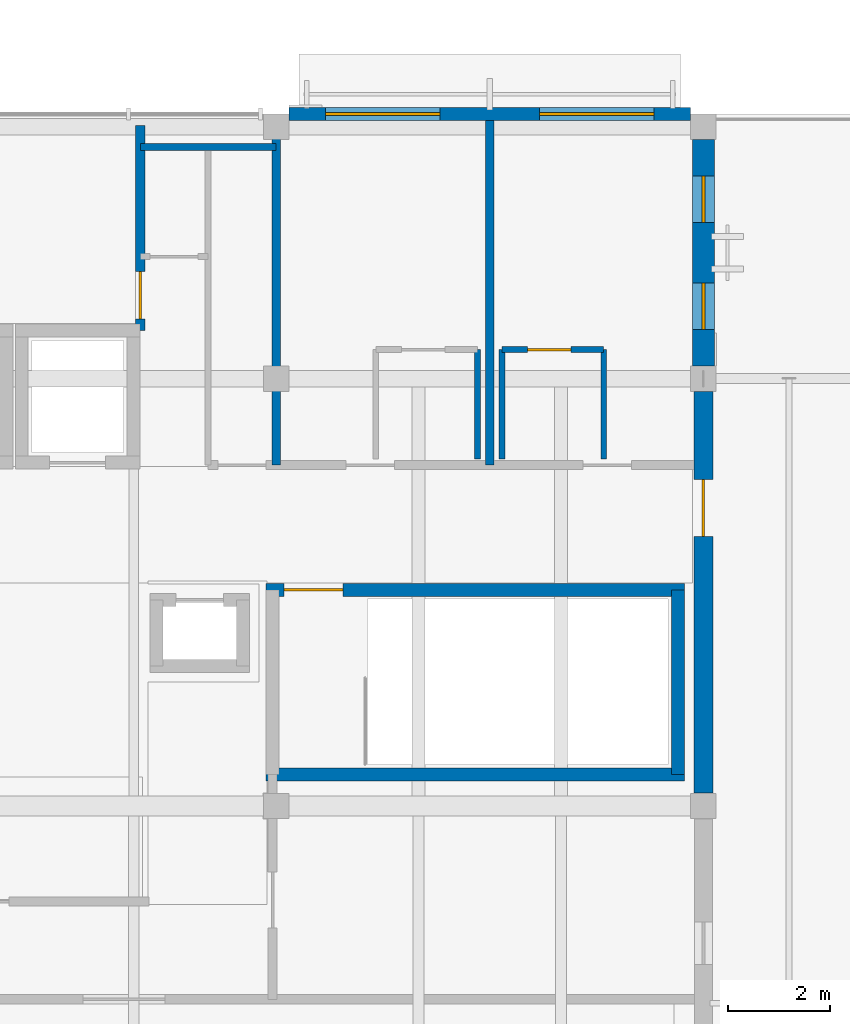
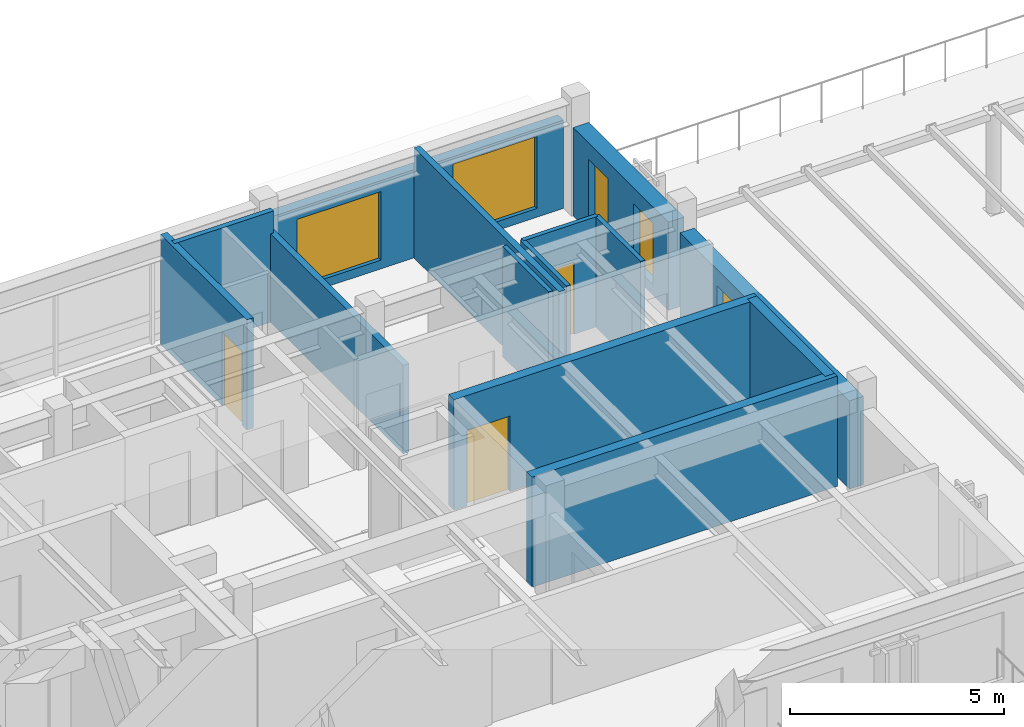
# One storey, part 16 of 24: 14 walls, 4 doors, 4 windows, 8 openings.
"""IFC4 building model written with IfcOpenShell, lengths in metres."""

from ifc_helpers import new_model, si_unit, direction, frame, frame_2d, origin, place, context, subcontext, project, spatial, rectangle, extrude, material, layer, layer_set, type_object, element, fill, save


model = new_model("IFC4")

# Units and contexts
model_context = context("Model", 3, precision=1e-05, world=origin(), true_north=direction((0.0, 1.0)))
body_context = subcontext(model_context, "Body", "Model", "MODEL_VIEW")
ifc_project = project(units=[si_unit("LENGTHUNIT", "METRE"), si_unit("AREAUNIT", "SQUARE_METRE"), si_unit("VOLUMEUNIT", "CUBIC_METRE"), si_unit("PLANEANGLEUNIT", "RADIAN"), si_unit("MASSUNIT", "GRAM", prefix="KILO")], contexts=[model_context])

# Site, building, storey
site_placement = place(None, origin())
site = spatial("IfcSite", under=ifc_project, at=site_placement, CompositionType="ELEMENT")
building_placement = place(site_placement, origin())
building = spatial("IfcBuilding", under=site, at=building_placement, Name="Cumbredor Promenade Congress Hotel", CompositionType="ELEMENT")
storey_placement = place(building_placement, frame((0.0, 0.0, 35.280029296875)))
storey = spatial("IfcBuildingStorey", under=building, at=storey_placement, Name="L10", CompositionType="ELEMENT", Elevation=35.280029296875)

# Wall
ifc_material_1 = material(Name="Moisture-resistant gypsum board on steel studs", Category="steel")
ifc_layer_1 = layer(ifc_material_1, 0.114990234375, Name="Moisture-resistant gypsum board on steel studs", Category="steel")
ifc_layer_set_1 = layer_set([ifc_layer_1], Name="Moisture-resistant gypsum board on steel studs")
wall_type_1 = type_object("IfcWallType", Name="WL-BATH-115", PredefinedType="PARTITIONING", material=ifc_layer_set_1)
wall_1_placement = place(storey_placement, frame((45.9599609375, 107.6201171875, 0.0), z_axis=(0.0, 0.0, 1.0), x_axis=(0.0, 1.0, 0.0)))
element("IfcWall", 1, at=wall_1_placement, inside=storey, type_object=wall_type_1, Name="L10 Interior Partition W-L10-BV2-1006", PredefinedType="PARTITIONING", context=body_context, shape_type="SweptSolid", body=[
    extrude(rectangle(XDim=2.14990234375, YDim=0.114990234375, at=frame_2d((1.074951171875, 0.0))), origin(), (0.0, 0.0, 1.0), 3.139892578125),
])

# Wall, opening, door
wall_2_placement = place(storey_placement, frame((46.43994140625, 109.77001953125, 0.0), z_axis=(0.0, 0.0, 1.0), x_axis=(1.0, 0.0, 0.0)))
wall_2 = element("IfcWall", 2, at=wall_2_placement, inside=storey, type_object=wall_type_1, Name="L10 Interior Partition W-L10-BH-1007", PredefinedType="PARTITIONING", context=body_context, shape_type="SweptSolid", body=[
    extrude(rectangle(XDim=2.0, YDim=0.114990234375, at=frame_2d((1.0, 0.0))), origin(), (0.0, 0.0, 1.0), 3.139892578125),
])
opening_1_placement = place(wall_2_placement, frame((0.5, 0.0, 0.0)))
opening_1 = element("IfcOpeningElement", 3, at=opening_1_placement, cuts=wall_2, Name="Opening ID-01", PredefinedType="OPENING", context=body_context, shape_type="SweptSolid", body=[
    extrude(rectangle(XDim=0.860107421875, YDim=2.050048828125, at=frame_2d((0.43017578125, 1.02490234375))), frame((0.0, 0.0673828125, 0.0), z_axis=(0.0, -1.0, 0.0), x_axis=(1.0, 0.0, 0.0)), (0.0, 0.0, 1.0), 0.135009765625),
])
ifc_material_2 = material(Name="Kiln-dried tropical hardwood", Category="wood")
door_type_1 = type_object("IfcDoorType", Name="DR-BATH-860", OperationType="NOTDEFINED", PredefinedType="DOOR", material=ifc_material_2)
door_1_placement = place(opening_1_placement, origin())
door_1 = element("IfcDoor", 4, at=door_1_placement, inside=storey, type_object=door_type_1, Name="L10 Interior Door W-L10-BH-1007-01", OperationType="SINGLE_SWING_RIGHT", OverallHeight=2.050048828125, OverallWidth=0.860107421875, PredefinedType="DOOR", context=body_context, shape_type="SweptSolid", body=[
    extrude(rectangle(XDim=0.860107421875, YDim=2.050048828125, at=frame_2d((0.43017578125, 1.02490234375))), frame((0.0, 0.02490234375, 0.0), z_axis=(0.0, -1.0, 0.0), x_axis=(1.0, 0.0, 0.0)), (0.0, 0.0, 1.0), 0.050048828125),
])
fill(opening_1, door_1)

# Walls
for number, where, z_axis, x_axis, name in (
    (5, (46.43994140625, 107.6201171875, 0.0), (0.0, 0.0, 1.0), (0.0, 1.0, 0.0), "L10 Interior Partition W-L10-BV1-1007"),
    (6, (48.43994140625, 107.6201171875, 0.0), (0.0, 0.0, 1.0), (0.0, 1.0, 0.0), "L10 Interior Partition W-L10-BV2-1007"),
):
    element("IfcWall", number, at=place(storey_placement, frame(where, z_axis=z_axis, x_axis=x_axis)), inside=storey, type_object=wall_type_1, Name=name, PredefinedType="PARTITIONING", context=body_context, shape_type="SweptSolid", body=[
        extrude(rectangle(XDim=2.14990234375, YDim=0.114990234375, at=frame_2d((1.074951171875, 0.0))), origin(), (0.0, 0.0, 1.0), 3.139892578125),
    ])

# Wall, opening, door
ifc_material_3 = material(Name="Fire-rated hotel corridor wall")
ifc_layer_2 = layer(ifc_material_3, 0.179931640625, Name="Fire-rated hotel corridor wall")
ifc_layer_set_2 = layer_set([ifc_layer_2], Name="Fire-rated hotel corridor wall")
wall_type_2 = type_object("IfcWallType", Name="WL-CORR-180", PredefinedType="PARTITIONING", material=ifc_layer_set_2)
wall_3_placement = place(storey_placement, frame((39.330078125, 110.14990234375, 0.0), z_axis=(0.0, 0.0, 1.0), x_axis=(0.0, 1.0, 0.0)))
wall_3 = element("IfcWall", 7, at=wall_3_placement, inside=storey, type_object=wall_type_2, Name="L10 Interior Partition W-L10-SALON-E", PredefinedType="PARTITIONING", context=body_context, shape_type="SweptSolid", body=[
    extrude(rectangle(XDim=4.025146484375, YDim=0.179931640625, at=frame_2d((2.0126953125, 0.0))), origin(), (0.0, 0.0, 1.0), 3.139892578125),
])
opening_2_placement = place(wall_3_placement, frame((0.219970703125, 0.0, 0.0)))
opening_2 = element("IfcOpeningElement", 8, at=opening_2_placement, cuts=wall_3, Name="Opening FD-03", PredefinedType="OPENING", context=body_context, shape_type="SweptSolid", body=[
    extrude(rectangle(XDim=0.93994140625, YDim=2.10009765625, at=frame_2d((0.469970703125, 1.050048828125))), frame((0.0, 0.10009765625, 0.0), z_axis=(0.0, -1.0, 0.0), x_axis=(1.0, 0.0, 0.0)), (0.0, 0.0, 1.0), 0.199951171875),
])
ifc_material_4 = material(Name="Painted galvanized steel fire door", Category="steel")
door_type_2 = type_object("IfcDoorType", Name="DR-SGL-FD60-950", OperationType="NOTDEFINED", PredefinedType="DOOR", material=ifc_material_4)
door_2_placement = place(opening_2_placement, origin())
door_2 = element("IfcDoor", 9, at=door_2_placement, inside=storey, type_object=door_type_2, Name="L10 Interior Door W-L10-SALON-E-01", OperationType="SINGLE_SWING_LEFT", OverallHeight=2.10009765625, OverallWidth=0.93994140625, PredefinedType="DOOR", context=body_context, shape_type="SweptSolid", body=[
    extrude(rectangle(XDim=0.93994140625, YDim=2.10009765625, at=frame_2d((0.469970703125, 1.050048828125))), frame((0.0, 0.02490234375, 0.0), z_axis=(0.0, -1.0, 0.0), x_axis=(1.0, 0.0, 0.0)), (0.0, 0.0, 1.0), 0.050048828125),
])
fill(opening_2, door_2)

# Wall, openings, windows
ifc_material_5 = material(Name="Concrete C40/50", Category="concrete")
ifc_layer_3 = layer(ifc_material_5, 0.260009765625, Name="Concrete C40/50", Category="concrete")
ifc_layer_set_3 = layer_set([ifc_layer_3], Name="Concrete C40/50")
wall_type_3 = type_object("IfcWallType", Name="WL-EXT-260", PredefinedType="SOLIDWALL", material=ifc_layer_set_3)
wall_4_placement = place(storey_placement, frame((42.2509765625, 114.39990234375, 0.0), z_axis=(0.0, 0.0, 1.0), x_axis=(1.0, 0.0, 0.0)))
wall_4 = element("IfcWall", 10, at=wall_4_placement, inside=storey, type_object=wall_type_3, Name="L10 Stepped Congress Hotel Wing North Envelope Wall 5", PredefinedType="SOLIDWALL", context=body_context, shape_type="SweptSolid", body=[
    extrude(rectangle(XDim=7.89794921875, YDim=0.260009765625, at=frame_2d((3.948974609375, 0.0))), origin(), (0.0, 0.0, 1.0), 2.513916015625),
])
opening_3_placement = place(wall_4_placement, frame((0.72412109375, 0.0, 0.25)))
opening_3 = element("IfcOpeningElement", 11, at=opening_3_placement, cuts=wall_4, Name="Opening WN-07", PredefinedType="OPENING", context=body_context, shape_type="SweptSolid", body=[
    extrude(rectangle(XDim=2.25, YDim=1.949951171875, at=frame_2d((1.125, 0.97509765625))), frame((0.0, 0.14013671875, 0.0), z_axis=(0.0, -1.0, 0.0), x_axis=(1.0, 0.0, 0.0)), (0.0, 0.0, 1.0), 0.280029296875),
])
opening_4_placement = place(wall_4_placement, frame((4.924072265625, 0.0, 0.25)))
opening_4 = element("IfcOpeningElement", 12, at=opening_4_placement, cuts=wall_4, Name="Opening WN-13", PredefinedType="OPENING", context=body_context, shape_type="SweptSolid", body=[
    extrude(rectangle(XDim=2.25, YDim=2.050048828125, at=frame_2d((1.125, 1.02490234375))), frame((0.0, 0.14013671875, 0.0), z_axis=(0.0, -1.0, 0.0), x_axis=(1.0, 0.0, 0.0)), (0.0, 0.0, 1.0), 0.280029296875),
])
ifc_material_6 = material(Name="Thermally broken anodized aluminium and low-E glass", Category="aluminium")
window_type_1 = type_object("IfcWindowType", Name="Hospitality Floor-to-Ceiling Window WN-07 2250x1950", PartitioningType="DOUBLE_PANEL_VERTICAL", PredefinedType="WINDOW", material=ifc_material_6)
window_1_placement = place(opening_3_placement, origin())
window_1 = element("IfcWindow", 13, at=window_1_placement, inside=storey, type_object=window_type_1, Name="L10 Wide Hospitality Window 0720", OverallHeight=1.949951171875, OverallWidth=2.25, PartitioningType="DOUBLE_PANEL_VERTICAL", PredefinedType="WINDOW", context=body_context, shape_type="SweptSolid", body=[
    extrude(rectangle(XDim=2.25, YDim=1.949951171875, at=frame_2d((1.125, 0.97509765625))), frame((0.0, 0.030029296875, 0.0), z_axis=(0.0, -1.0, 0.0), x_axis=(1.0, 0.0, 0.0)), (0.0, 0.0, 1.0), 0.06005859375),
])
fill(opening_3, window_1)
window_type_2 = type_object("IfcWindowType", Name="Hospitality Floor-to-Ceiling Window WN-13 2250x2050", PartitioningType="DOUBLE_PANEL_VERTICAL", PredefinedType="WINDOW", material=ifc_material_6)
window_2_placement = place(opening_4_placement, origin())
window_2 = element("IfcWindow", 14, at=window_2_placement, inside=storey, type_object=window_type_2, Name="L10 Wide Hospitality Window 0721", OverallHeight=2.050048828125, OverallWidth=2.25, PartitioningType="DOUBLE_PANEL_VERTICAL", PredefinedType="WINDOW", context=body_context, shape_type="SweptSolid", body=[
    extrude(rectangle(XDim=2.25, YDim=2.050048828125, at=frame_2d((1.125, 1.02490234375))), frame((0.0, 0.030029296875, 0.0), z_axis=(0.0, -1.0, 0.0), x_axis=(1.0, 0.0, 0.0)), (0.0, 0.0, 1.0), 0.06005859375),
])
fill(opening_4, window_2)

# Wall, opening, door
ifc_layer_4 = layer(ifc_material_5, 0.3798828125, Name="Concrete C40/50", Category="concrete")
ifc_layer_set_4 = layer_set([ifc_layer_4], Name="Concrete C40/50")
wall_type_4 = type_object("IfcWallType", Name="WL-EXT-380", PredefinedType="SOLIDWALL", material=ifc_layer_set_4)
wall_5_placement = place(storey_placement, frame((50.39990234375, 101.051025390625, 0.0), z_axis=(0.0, 0.0, 1.0), x_axis=(0.0, 1.0, 0.0)))
wall_5 = element("IfcWall", 15, at=wall_5_placement, inside=storey, type_object=wall_type_4, Name="L10 Stepped Congress Hotel Wing East Envelope Wall 2", PredefinedType="SOLIDWALL", context=body_context, shape_type="SweptSolid", body=[
    extrude(rectangle(XDim=7.89794921875, YDim=0.3798828125, at=frame_2d((3.948974609375, 0.0))), origin(), (0.0, 0.0, 1.0), 2.513916015625),
])
opening_5_placement = place(wall_5_placement, frame((5.049072265625, 0.0, 0.0)))
opening_5 = element("IfcOpeningElement", 16, at=opening_5_placement, cuts=wall_5, Name="Opening TD-05", PredefinedType="OPENING", context=body_context, shape_type="SweptSolid", body=[
    extrude(rectangle(XDim=1.1201171875, YDim=2.050048828125, at=frame_2d((0.56005859375, 1.02490234375))), frame((0.0, 0.199951171875, 0.0), z_axis=(0.0, -1.0, 0.0), x_axis=(1.0, 0.0, 0.0)), (0.0, 0.0, 1.0), 0.39990234375),
])
ifc_material_7 = material(Name="Thermally broken anodized aluminium and laminated safety glass", Category="aluminium")
door_type_3 = type_object("IfcDoorType", Name="EXT-DR-TER-1120x2050", OperationType="NOTDEFINED", PredefinedType="DOOR", material=ifc_material_7)
door_3_placement = place(opening_5_placement, frame((1.1201171875, 0.0, 0.0), z_axis=(0.0, 0.0, 1.0), x_axis=(-1.0, 0.0, 0.0)))
door_3 = element("IfcDoor", 17, at=door_3_placement, inside=storey, type_object=door_type_3, Name="L10 Sky Garden Terrace Access Door 99", OperationType="SINGLE_SWING_RIGHT", OverallHeight=2.050048828125, OverallWidth=1.1201171875, PredefinedType="DOOR", context=body_context, shape_type="SweptSolid", body=[
    extrude(rectangle(XDim=1.1201171875, YDim=2.050048828125, at=frame_2d((0.56005859375, 1.02490234375))), frame((0.0, 0.02490234375, 0.0), z_axis=(0.0, -1.0, 0.0), x_axis=(1.0, 0.0, 0.0)), (0.0, 0.0, 1.0), 0.050048828125),
])
fill(opening_5, door_3)

# Wall, openings, windows
ifc_layer_5 = layer(ifc_material_5, 0.425048828125, Name="Concrete C40/50", Category="concrete")
ifc_layer_set_5 = layer_set([ifc_layer_5], Name="Concrete C40/50")
wall_type_5 = type_object("IfcWallType", Name="WL-EXT-425", PredefinedType="SOLIDWALL", material=ifc_layer_set_5)
wall_6_placement = place(storey_placement, frame((50.39990234375, 109.450927734375, 0.0), z_axis=(0.0, 0.0, 1.0), x_axis=(0.0, 1.0, 0.0)))
wall_6 = element("IfcWall", 18, at=wall_6_placement, inside=storey, type_object=wall_type_5, Name="L10 Stepped Congress Hotel Wing East Envelope Wall 3", PredefinedType="SOLIDWALL", context=body_context, shape_type="SweptSolid", body=[
    extrude(rectangle(XDim=4.447998046875, YDim=0.425048828125, at=frame_2d((2.22412109375, 0.0))), origin(), (0.0, 0.0, 1.0), 2.513916015625),
])
opening_6_placement = place(wall_6_placement, frame((0.714111328125, 0.0, 0.300048828125)))
opening_6 = element("IfcOpeningElement", 19, at=opening_6_placement, cuts=wall_6, Name="Opening WN-63", PredefinedType="OPENING", context=body_context, shape_type="SweptSolid", body=[
    extrude(rectangle(XDim=0.919921875, YDim=1.75, at=frame_2d((0.4599609375, 0.875))), frame((0.0, 0.22265625, 0.0), z_axis=(0.0, -1.0, 0.0), x_axis=(1.0, 0.0, 0.0)), (0.0, 0.0, 1.0), 0.445068359375),
])
opening_7_placement = place(wall_6_placement, frame((2.81396484375, 0.0, 0.300048828125)))
opening_7 = element("IfcOpeningElement", 20, at=opening_7_placement, cuts=wall_6, Name="Opening WN-63", PredefinedType="OPENING", context=body_context, shape_type="SweptSolid", body=[
    extrude(rectangle(XDim=0.919921875, YDim=1.75, at=frame_2d((0.4599609375, 0.875))), frame((0.0, 0.22265625, 0.0), z_axis=(0.0, -1.0, 0.0), x_axis=(1.0, 0.0, 0.0)), (0.0, 0.0, 1.0), 0.445068359375),
])
window_type_3 = type_object("IfcWindowType", Name="Vertical Slot Window WN-63 920x1750", PartitioningType="SINGLE_PANEL", PredefinedType="WINDOW", material=ifc_material_6)
window_3_placement = place(opening_6_placement, origin())
window_3 = element("IfcWindow", 21, at=window_3_placement, inside=storey, type_object=window_type_3, Name="L10 Vertical Slot Window 0730", OverallHeight=1.75, OverallWidth=0.919921875, PartitioningType="SINGLE_PANEL", PredefinedType="WINDOW", context=body_context, shape_type="SweptSolid", body=[
    extrude(rectangle(XDim=0.919921875, YDim=1.75, at=frame_2d((0.4599609375, 0.875))), frame((0.0, 0.030029296875, 0.0), z_axis=(0.0, -1.0, 0.0), x_axis=(1.0, 0.0, 0.0)), (0.0, 0.0, 1.0), 0.06005859375),
])
fill(opening_6, window_3)
window_4_placement = place(opening_7_placement, origin())
window_4 = element("IfcWindow", 22, at=window_4_placement, inside=storey, type_object=window_type_3, Name="L10 Vertical Slot Window 0731", OverallHeight=1.75, OverallWidth=0.919921875, PartitioningType="SINGLE_PANEL", PredefinedType="WINDOW", context=body_context, shape_type="SweptSolid", body=[
    extrude(rectangle(XDim=0.919921875, YDim=1.75, at=frame_2d((0.4599609375, 0.875))), frame((0.0, 0.030029296875, 0.0), z_axis=(0.0, -1.0, 0.0), x_axis=(1.0, 0.0, 0.0)), (0.0, 0.0, 1.0), 0.06005859375),
])
fill(opening_7, window_4)

# Walls
ifc_material_8 = material(Name="Acoustic gypsum partition on steel studs", Category="steel")
ifc_layer_6 = layer(ifc_material_8, 0.139892578125, Name="Acoustic gypsum partition on steel studs", Category="steel")
ifc_layer_set_6 = layer_set([ifc_layer_6], Name="Acoustic gypsum partition on steel studs")
wall_type_6 = type_object("IfcWallType", Name="WL-PART-140", PredefinedType="PARTITIONING", material=ifc_layer_set_6)
wall_7_placement = place(storey_placement, frame((39.330078125, 113.75, 0.0), z_axis=(0.0, 0.0, 1.0), x_axis=(1.0, 0.0, 0.0)))
element("IfcWall", 23, at=wall_7_placement, inside=storey, type_object=wall_type_6, Name="L10 Interior Partition W-L10-HK-N", PredefinedType="PARTITIONING", context=body_context, shape_type="SweptSolid", body=[
    extrude(rectangle(XDim=2.669921875, YDim=0.139892578125, at=frame_2d((1.3349609375, 0.0))), origin(), (0.0, 0.0, 1.0), 3.139892578125),
])
ifc_layer_7 = layer(ifc_material_5, 0.2548828125, Name="Concrete C40/50", Category="concrete")
ifc_layer_set_7 = layer_set([ifc_layer_7], Name="Concrete C40/50")
wall_type_7 = type_object("IfcWallType", Name="WL-SHAFT-250", PredefinedType="SOLIDWALL", material=ifc_layer_set_7)
wall_8_placement = place(storey_placement, frame((41.802490234375, 101.419921875, 0.0), z_axis=(0.0, 0.0, 1.0), x_axis=(1.0, 0.0, 0.0)))
element("IfcWall", 24, at=wall_8_placement, inside=storey, type_object=wall_type_7, Name="STAIR-ST-03-L10 Shaft Wall South", PredefinedType="SOLIDWALL", context=body_context, shape_type="SweptSolid", body=[
    extrude(rectangle(XDim=8.22509765625, YDim=0.2548828125, at=frame_2d((4.112548828125, 0.0))), origin(), (0.0, 0.0, 1.0), 3.139892578125),
])

# Wall, opening, door
wall_9_placement = place(storey_placement, frame((41.802490234375, 105.050048828125, 0.0), z_axis=(0.0, 0.0, 1.0), x_axis=(1.0, 0.0, 0.0)))
wall_9 = element("IfcWall", 25, at=wall_9_placement, inside=storey, type_object=wall_type_7, Name="STAIR-ST-03-L10 Shaft Wall North", PredefinedType="SOLIDWALL", context=body_context, shape_type="SweptSolid", body=[
    extrude(rectangle(XDim=8.22509765625, YDim=0.2548828125, at=frame_2d((4.112548828125, 0.0))), origin(), (0.0, 0.0, 1.0), 3.139892578125),
])
opening_8_placement = place(wall_9_placement, frame((0.35009765625, 0.0, 0.0)))
opening_8 = element("IfcOpeningElement", 26, at=opening_8_placement, cuts=wall_9, Name="Opening SD-01", PredefinedType="OPENING", context=body_context, shape_type="SweptSolid", body=[
    extrude(rectangle(XDim=1.159912109375, YDim=2.14990234375, at=frame_2d((0.580078125, 1.074951171875))), frame((0.0, 0.137451171875, 0.0), z_axis=(0.0, -1.0, 0.0), x_axis=(1.0, 0.0, 0.0)), (0.0, 0.0, 1.0), 0.27490234375),
])
door_type_4 = type_object("IfcDoorType", Name="DR-STAIR-FD90-1150", OperationType="NOTDEFINED", PredefinedType="DOOR", material=ifc_material_4)
door_4_placement = place(opening_8_placement, origin())
door_4 = element("IfcDoor", 27, at=door_4_placement, inside=storey, type_object=door_type_4, Name="L10 Protected Exit Stair ST-03 Door", OperationType="SINGLE_SWING_RIGHT", OverallHeight=2.14990234375, OverallWidth=1.159912109375, PredefinedType="DOOR", context=body_context, shape_type="SweptSolid", body=[
    extrude(rectangle(XDim=1.159912109375, YDim=2.14990234375, at=frame_2d((0.580078125, 1.074951171875))), frame((0.0, 0.02490234375, 0.0), z_axis=(0.0, -1.0, 0.0), x_axis=(1.0, 0.0, 0.0)), (0.0, 0.0, 1.0), 0.050048828125),
])
fill(opening_8, door_4)

# Walls
wall_10_placement = place(storey_placement, frame((49.89990234375, 101.419921875, 0.0), z_axis=(0.0, 0.0, 1.0), x_axis=(0.0, 1.0, 0.0)))
element("IfcWall", 28, at=wall_10_placement, inside=storey, type_object=wall_type_7, Name="STAIR-ST-03-L10 Shaft Wall East", PredefinedType="SOLIDWALL", context=body_context, shape_type="SweptSolid", body=[
    extrude(rectangle(XDim=3.630126953125, YDim=0.2548828125, at=frame_2d((1.81494140625, 0.0))), origin(), (0.0, 0.0, 1.0), 3.139892578125),
])
ifc_material_9 = material(Name="Fire-rated acoustic double-stud partition")
ifc_layer_8 = layer(ifc_material_9, 0.1650390625, Name="Fire-rated acoustic double-stud partition")
ifc_layer_set_8 = layer_set([ifc_layer_8], Name="Fire-rated acoustic double-stud partition")
wall_type_8 = type_object("IfcWallType", Name="WL-UNIT-165", PredefinedType="PARTITIONING", material=ifc_layer_set_8)
wall_11_placement = place(storey_placement, frame((46.199951171875, 107.5, 0.0), z_axis=(0.0, 0.0, 1.0), x_axis=(0.0, 1.0, 0.0)))
element("IfcWall", 29, at=wall_11_placement, inside=storey, type_object=wall_type_8, Name="L10 Interior Partition W-L10-N-DIV-4-M", PredefinedType="PARTITIONING", context=body_context, shape_type="SweptSolid", body=[
    extrude(rectangle(XDim=6.77001953125, YDim=0.1650390625, at=frame_2d((3.385009765625, 0.0))), origin(), (0.0, 0.0, 1.0), 3.139892578125),
])
wall_12_placement = place(storey_placement, frame((42.0, 107.5, 0.0), z_axis=(0.0, 0.0, 1.0), x_axis=(0.0, 1.0, 0.0)))
element("IfcWall", 30, at=wall_12_placement, inside=storey, type_object=wall_type_8, Name="L10 Interior Partition W-L10-N-DIV-4-G", PredefinedType="PARTITIONING", context=body_context, shape_type="SweptSolid", body=[
    extrude(rectangle(XDim=6.550048828125, YDim=0.1650390625, at=frame_2d((3.27490234375, 0.0))), origin(), (0.0, 0.0, 1.0), 2.513916015625),
])

save(model, "model.ifc")
